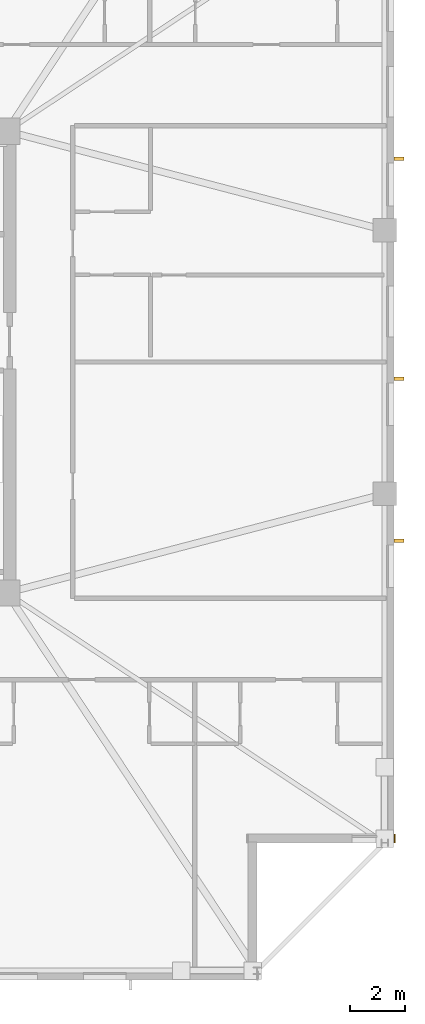
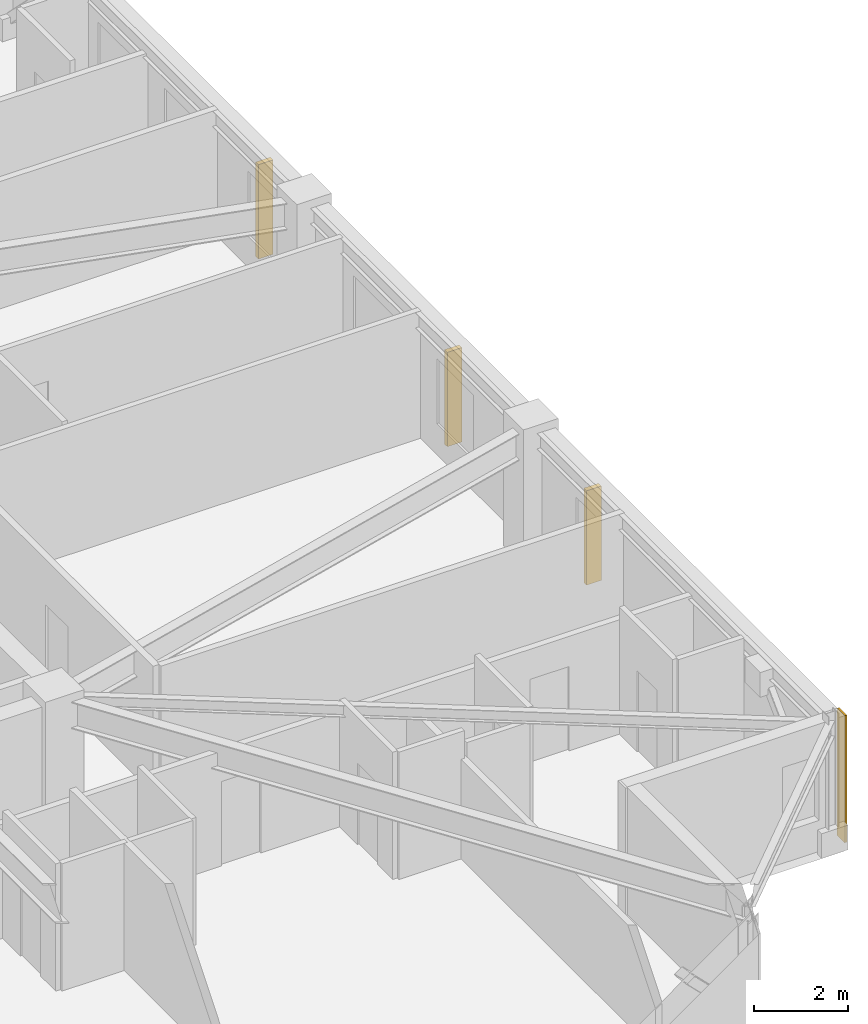
# One storey, part 15 of 17: 3 shading devices, 1 covering.
"""IFC4 building model written with IfcOpenShell, lengths in metres."""

from ifc_helpers import new_model, si_unit, direction, frame, frame_2d, origin, origin_2d, place, context, subcontext, project, spatial, rectangle, extrude, material, layer, layer_set, type_object, element, save


model = new_model("IFC4")

# Units and contexts
model_context = context("Model", 3, precision=1e-05, world=origin(), true_north=direction((0.0, 1.0)))
body_context = subcontext(model_context, "Body", "Model", "MODEL_VIEW")
ifc_project = project(units=[si_unit("LENGTHUNIT", "METRE"), si_unit("AREAUNIT", "SQUARE_METRE"), si_unit("VOLUMEUNIT", "CUBIC_METRE"), si_unit("PLANEANGLEUNIT", "RADIAN"), si_unit("MASSUNIT", "GRAM", prefix="KILO")], contexts=[model_context])

# Site, building, storey
site_placement = place(None, origin())
site = spatial("IfcSite", under=ifc_project, at=site_placement, CompositionType="ELEMENT")
building_placement = place(site_placement, origin())
building = spatial("IfcBuilding", under=site, at=building_placement, Name="Cairnveth Concourse Tower", CompositionType="ELEMENT")
storey_placement = place(building_placement, frame((0.0, 0.0, 241.0)))
storey = spatial("IfcBuildingStorey", under=building, at=storey_placement, Name="L66", CompositionType="ELEMENT", Elevation=241.0)

# Covering
ifc_material_1 = material(Name="Dressed Melbourne Bluestone Cladding", Category="masonry")
ifc_layer = layer(ifc_material_1, 0.050048828125)
ifc_layer_set = layer_set([ifc_layer], Name="Dressed Melbourne Bluestone Cladding")
covering_type = type_object("IfcCoveringType", Name="DRESSED BLUESTONE PLINTH CLADDING 50", PredefinedType="CLADDING", material=ifc_layer_set)
covering_placement = place(storey_placement, frame((74.52001953125, 21.820068359375, 0.0), z_axis=(0.0, 0.0, 1.0), x_axis=(0.0, -1.0, 0.0)))
element("IfcCovering", 1, at=covering_placement, inside=storey, type_object=covering_type, Name="Melbourne Bluestone Corner Quoin L66-998", PredefinedType="CLADDING", context=body_context, shape_type="SweptSolid", body=[
    extrude(rectangle(XDim=0.320068359375, YDim=0.050048828125, at=frame_2d((0.16015625, 0.0))), origin(), (0.0, 0.0, 1.0), 3.2900390625),
])

# Shading devices
ifc_material_2 = material(Name="Architectural Bronze Anodised Aluminium 6063-T6", Category="aluminium")
shading_device_type = type_object("IfcShadingDeviceType", Name="GOTHIC BRONZE VERTICAL LANCET FIN", PredefinedType="USERDEFINED", material=ifc_material_2)
for number, where, z_axis, x_axis, name in (
    (2, (74.675048828125, 46.39697265625, 0.030029296875), (0.0, 0.0, 1.0), (0.0, 1.0, 0.0), "Gothic Bronze Vertical Fin L66-6-3"),
    (3, (74.675048828125, 38.396484375, 0.030029296875), (0.0, 0.0, 1.0), (0.0, 1.0, 0.0), "Gothic Bronze Vertical Fin L66-6-5"),
    (4, (74.675048828125, 32.495849609375, 0.030029296875), (0.0, 0.0, 1.0), (0.0, 1.0, 0.0), "Gothic Bronze Vertical Fin L66-6-7"),
):
    element("IfcShadingDevice", number, at=place(storey_placement, frame(where, z_axis=z_axis, x_axis=x_axis)), inside=storey, type_object=shading_device_type, Name=name, ObjectType="VERTICAL FIN", PredefinedType="USERDEFINED", context=body_context, shape_type="SweptSolid", body=[
        extrude(rectangle(XDim=0.1201171875, YDim=0.360107421875, at=origin_2d()), origin(), (0.0, 0.0, 1.0), 2.43798828125),
    ])

save(model, "model.ifc")
